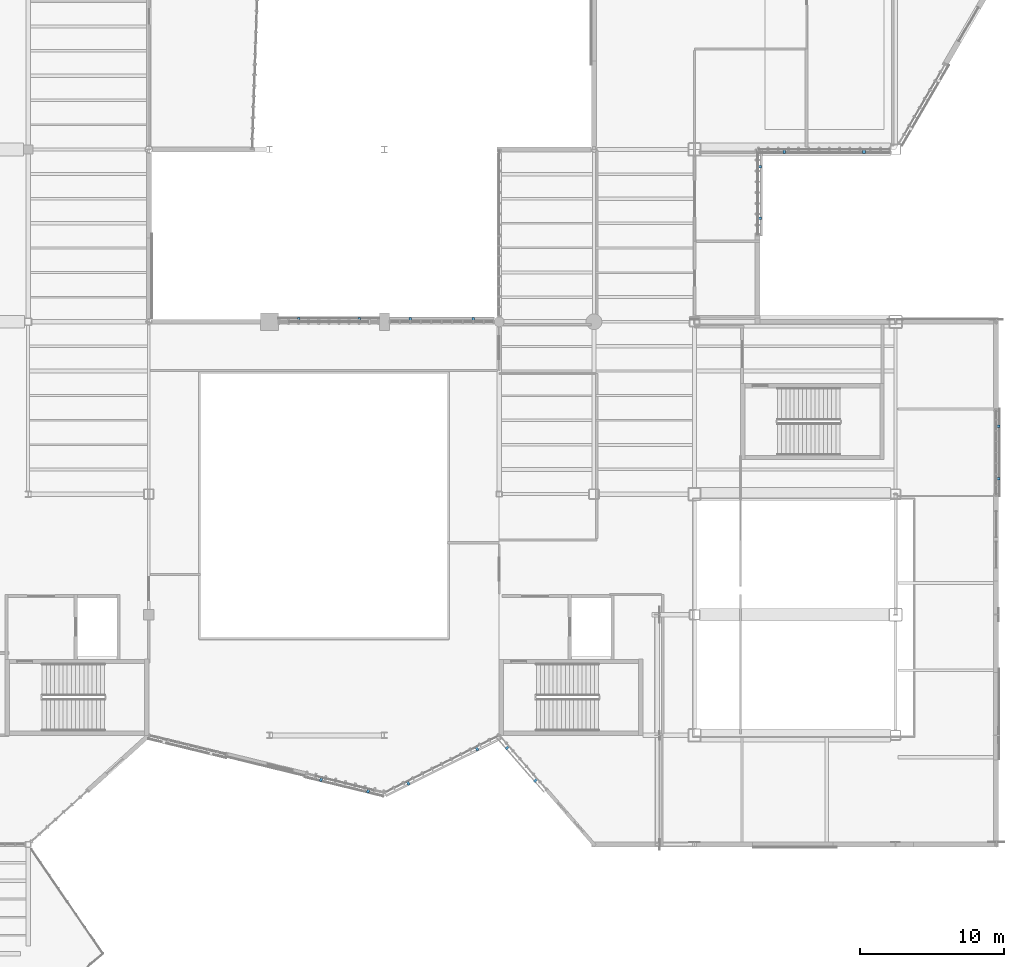
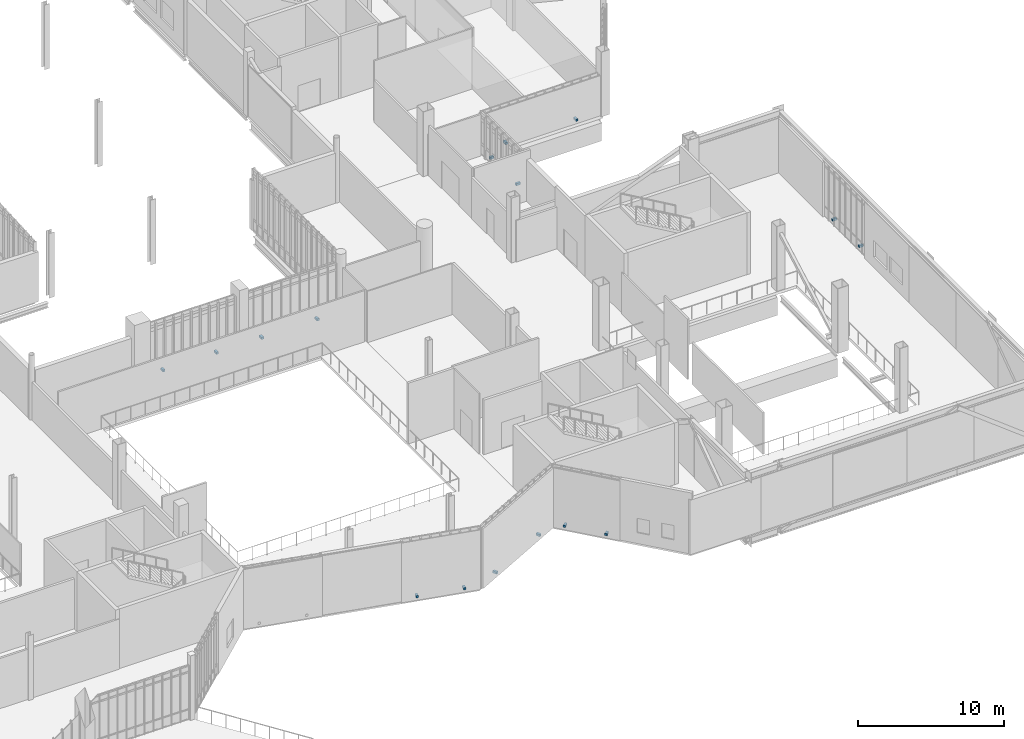
# One storey, part 114 of 127: 16 discrete accessories.
"""IFC4 building model written with IfcOpenShell, lengths in metres."""

from ifc_helpers import new_model, si_unit, direction, frame, origin, origin_2d, place, context, subcontext, project, spatial, rectangle, extrude, material, layer, layer_set, type_object, element, save


model = new_model("IFC4")

# Units and contexts
model_context = context("Model", 3, precision=1e-05, world=origin(), true_north=direction((0.0, 1.0)))
body_context = subcontext(model_context, "Body", "Model", "MODEL_VIEW")
ifc_project = project(units=[si_unit("LENGTHUNIT", "METRE"), si_unit("AREAUNIT", "SQUARE_METRE"), si_unit("VOLUMEUNIT", "CUBIC_METRE"), si_unit("PLANEANGLEUNIT", "RADIAN"), si_unit("MASSUNIT", "GRAM", prefix="KILO")], contexts=[model_context])

# Site, building, storey
site_placement = place(None, origin())
site = spatial("IfcSite", under=ifc_project, at=site_placement, CompositionType="ELEMENT")
building_placement = place(site_placement, origin())
building = spatial("IfcBuilding", under=site, at=building_placement, Name="Larkvane Passage Sports Hall", CompositionType="ELEMENT")
storey_placement = place(building_placement, frame((0.0, 0.0, 5.39990234375)))
storey = spatial("IfcBuildingStorey", under=building, at=storey_placement, Name="L01", CompositionType="ELEMENT", Elevation=5.39990234375)

# Discrete accessories
ifc_material = material(Name="Steel S355JR", Category="steel")
ifc_layer = layer(ifc_material, 0.179931640625)
ifc_layer_set = layer_set([ifc_layer], Name="Steel S355JR")
discrete_accessory_type = type_object("IfcDiscreteAccessoryType", Name="ACC-BRACKET-STL", PredefinedType="BRACKET", material=ifc_layer_set)
for number, where, z_axis, x_axis, name in (
    (1, (104.027587890625, 51.719970703125, 0.26025390625), (0.0, 0.0, 1.0), (1.0, 0.0, 0.0), "Veil outrigger bracket L01-029-1"),
    (2, (108.247314453125, 51.719970703125, 0.26025390625), (0.0, 0.0, 1.0), (1.0, 0.0, 0.0), "Veil outrigger bracket L01-029-2"),
    (3, (111.8076171875, 51.719970703125, 0.26025390625), (0.0, 0.0, 1.0), (1.0, 0.0, 0.0), "Veil outrigger bracket L01-030-1"),
    (4, (116.1923828125, 51.719970703125, 0.26025390625), (0.0, 0.0, 1.0), (1.0, 0.0, 0.0), "Veil outrigger bracket L01-030-2"),
    (5, (143.4033203125, 63.47998046875, 0.26025390625), (0.0, 0.0, 1.0), (-1.0, 0.0, 0.0), "Veil outrigger bracket L01-038-1"),
    (6, (137.850830078125, 63.47998046875, 0.26025390625), (0.0, 0.0, 1.0), (-1.0, 0.0, 0.0), "Veil outrigger bracket L01-038-2"),
    (7, (136.1201171875, 62.39990234375, 0.26025390625), (0.0, 0.0, 1.0), (0.0, -1.0, 0.0), "Veil outrigger bracket L01-039-1"),
    (8, (136.1201171875, 58.800048828125, 0.26025390625), (0.0, 0.0, 1.0), (0.0, -1.0, 0.0), "Veil outrigger bracket L01-039-2"),
    (9, (152.719970703125, 44.320068359375, 0.26025390625), (0.0, 0.0, 1.0), (0.0, -1.0, 0.0), "Veil outrigger bracket L01-040-1"),
    (10, (152.719970703125, 40.679931640625, 0.26025390625), (0.0, 0.0, 1.0), (0.0, -1.0, 0.0), "Veil outrigger bracket L01-040-2"),
    (11, (120.551025390625, 19.67919921875, 0.26025390625), (0.0, 0.0, 1.0), (-0.655686655453, 0.755033118387, 0.0), "Veil outrigger bracket L01-041-1"),
    (12, (118.576416015625, 21.953369140625, 0.26025390625), (0.0, 0.0, 1.0), (-0.655686655453, 0.755033118387, 0.0), "Veil outrigger bracket L01-041-2"),
    (13, (116.446533203125, 21.88916015625, 0.26025390625), (0.0, 0.0, 1.0), (-0.894427191001, -0.447213595499, 0.0), "Veil outrigger bracket L01-042-1"),
    (14, (111.65185546875, 19.49169921875, 0.26025390625), (0.0, 0.0, 1.0), (-0.894427191001, -0.447213595499, 0.0), "Veil outrigger bracket L01-042-2"),
    (15, (108.878173828125, 18.9501953125, 0.26025390625), (0.0, 0.0, 1.0), (-0.971520338783, 0.23695618019, 0.0), "Veil outrigger bracket L01-043-1"),
    (16, (105.59814453125, 19.75, 0.26025390625), (0.0, 0.0, 1.0), (-0.971520338783, 0.23695618019, 0.0), "Veil outrigger bracket L01-043-2"),
):
    element("IfcDiscreteAccessory", number, at=place(storey_placement, frame(where, z_axis=z_axis, x_axis=x_axis)), inside=storey, type_object=discrete_accessory_type, Name=name, PredefinedType="BRACKET", context=body_context, shape_type="SweptSolid", body=[
        extrude(rectangle(XDim=0.179931640625, YDim=0.320068359375, at=origin_2d()), origin(), (0.0, 0.0, 1.0), 0.179931640625),
    ])

save(model, "model.ifc")
